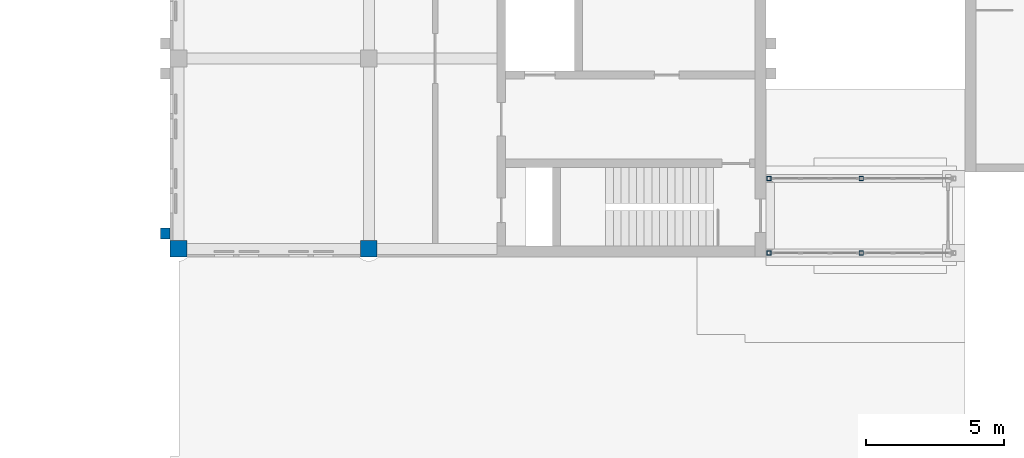
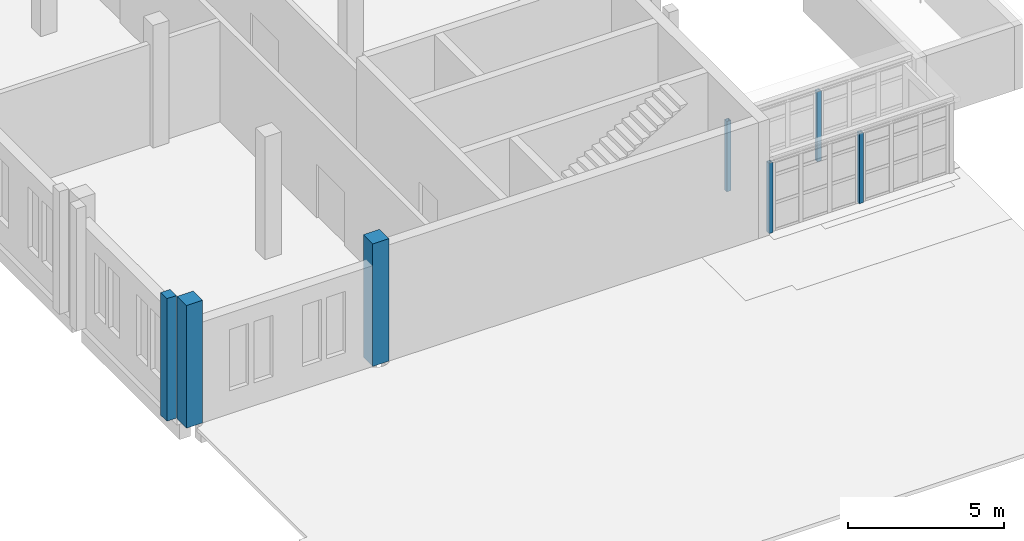
# One storey, part 2 of 131: 7 columns.
"""IFC4 building model written with IfcOpenShell, lengths in metres."""

from ifc_helpers import new_model, si_unit, direction, frame, origin, origin_2d, place, context, subcontext, project, spatial, rectangle, hollow_rectangle, extrude, material, material_profile, profile_set, type_object, element, save


model = new_model("IFC4")

# Units and contexts
model_context = context("Model", 3, precision=1e-05, world=origin(), true_north=direction((0.0, 1.0)))
body_context = subcontext(model_context, "Body", "Model", "MODEL_VIEW")
ifc_project = project(units=[si_unit("LENGTHUNIT", "METRE"), si_unit("AREAUNIT", "SQUARE_METRE"), si_unit("VOLUMEUNIT", "CUBIC_METRE"), si_unit("PLANEANGLEUNIT", "RADIAN"), si_unit("MASSUNIT", "GRAM", prefix="KILO")], contexts=[model_context])

# Site, building, storey
site_placement = place(None, origin())
site = spatial("IfcSite", under=ifc_project, at=site_placement, CompositionType="ELEMENT")
building_placement = place(site_placement, origin())
building = spatial("IfcBuilding", under=site, at=building_placement, Name="Alderwick Market Hall", CompositionType="ELEMENT")
storey_placement = place(building_placement, frame((0.0, 0.0, 4.800048828125)))
storey = spatial("IfcBuildingStorey", under=building, at=storey_placement, Name="L00", CompositionType="ELEMENT", Elevation=4.800048828125)

# Columns
ifc_material_1 = material(Name="Concrete 5000 psi (f'c 35 MPa)", Category="concrete")
ifc_material_profile_1 = material_profile(ifc_material_1, rectangle(XDim=0.35009765625, YDim=0.39990234375, at=origin_2d()), Name="B Paired Pilaster 350x400")
ifc_profile_set_1 = profile_set([ifc_material_profile_1], Name="Concrete 5000 psi (f'c 35 MPa)")
column_type_1 = type_object("IfcColumnType", Name="B Paired Pilaster 350x400", PredefinedType="COLUMN", material=ifc_profile_set_1)
column_placement = place(storey_placement, frame((21.425048828125, 29.64990234375, 0.0), z_axis=(0.0, 0.0, 1.0), x_axis=(1.0, 0.0, 0.0)))
element("IfcColumn", 1, at=column_placement, inside=storey, type_object=column_type_1, Name="Pilaster W01", PredefinedType="COLUMN", context=body_context, shape_type="SweptSolid", body=[
    extrude(rectangle(XDim=0.35009765625, YDim=0.39990234375, at=origin_2d()), origin(), (0.0, 0.0, 1.0), 4.800048828125),
])
ifc_material_2 = material(Name="Precast concrete 6000 psi (f'c 42 MPa)", Category="concrete")
ifc_material_profile_2 = material_profile(ifc_material_2, rectangle(XDim=0.60009765625, YDim=0.60009765625, at=origin_2d()), Name="B Precast Pier 600x600")
ifc_profile_set_2 = profile_set([ifc_material_profile_2], Name="Precast concrete 6000 psi (f'c 42 MPa)")
column_type_2 = type_object("IfcColumnType", Name="B Precast Pier 600x600", PredefinedType="COLUMN", material=ifc_profile_set_2)
for number, where, z_axis, x_axis, name in (
    (2, (21.89990234375, 29.10009765625, 0.0), (0.0, 0.0, 1.0), (1.0, 0.0, 0.0), "B.S.col.L00.003-003"),
    (3, (28.800048828125, 29.10009765625, 0.0), (0.0, 0.0, 1.0), (1.0, 0.0, 0.0), "B.S.col.L00.072-003"),
):
    element("IfcColumn", number, at=place(storey_placement, frame(where, z_axis=z_axis, x_axis=x_axis)), inside=storey, type_object=column_type_2, Name=name, PredefinedType="COLUMN", context=body_context, shape_type="SweptSolid", body=[
        extrude(rectangle(XDim=0.60009765625, YDim=0.60009765625, at=origin_2d()), origin(), (0.0, 0.0, 1.0), 4.800048828125),
    ])
ifc_material_3 = material(Name="Steel ASTM A500 Grade C", Category="steel")
ifc_material_profile_3 = material_profile(ifc_material_3, hollow_rectangle(XDim=0.152099609375, YDim=0.152099609375, WallThickness=0.009521484375, at=origin_2d()), Name="HSS152x152x9.5")
ifc_profile_set_3 = profile_set([ifc_material_profile_3], Name="Steel ASTM A500 Grade C")
column_type_3 = type_object("IfcColumnType", Name="P HSS Column 152x152x9.5", PredefinedType="COLUMN", material=ifc_profile_set_3)
for number, where, z_axis, x_axis, name in (
    (4, (43.300048828125, 28.949951171875, 0.0), (0.0, 0.0, 1.0), (1.0, 0.0, 0.0), "P.P8.col.a0"),
    (5, (46.64990234375, 28.949951171875, 0.0), (0.0, 0.0, 1.0), (1.0, 0.0, 0.0), "P.P8.col.a1"),
    (6, (43.300048828125, 31.64990234375, 0.0), (0.0, 0.0, 1.0), (1.0, 0.0, 0.0), "P.P8.col.b0"),
    (7, (46.64990234375, 31.64990234375, 0.0), (0.0, 0.0, 1.0), (1.0, 0.0, 0.0), "P.P8.col.b1"),
):
    element("IfcColumn", number, at=place(storey_placement, frame(where, z_axis=z_axis, x_axis=x_axis)), inside=storey, type_object=column_type_3, Name=name, PredefinedType="COLUMN", context=body_context, shape_type="SweptSolid", body=[
        extrude(hollow_rectangle(XDim=0.152099609375, YDim=0.152099609375, WallThickness=0.009521484375, at=origin_2d()), origin(), (0.0, 0.0, 1.0), 2.7529296875),
    ])

save(model, "model.ifc")
